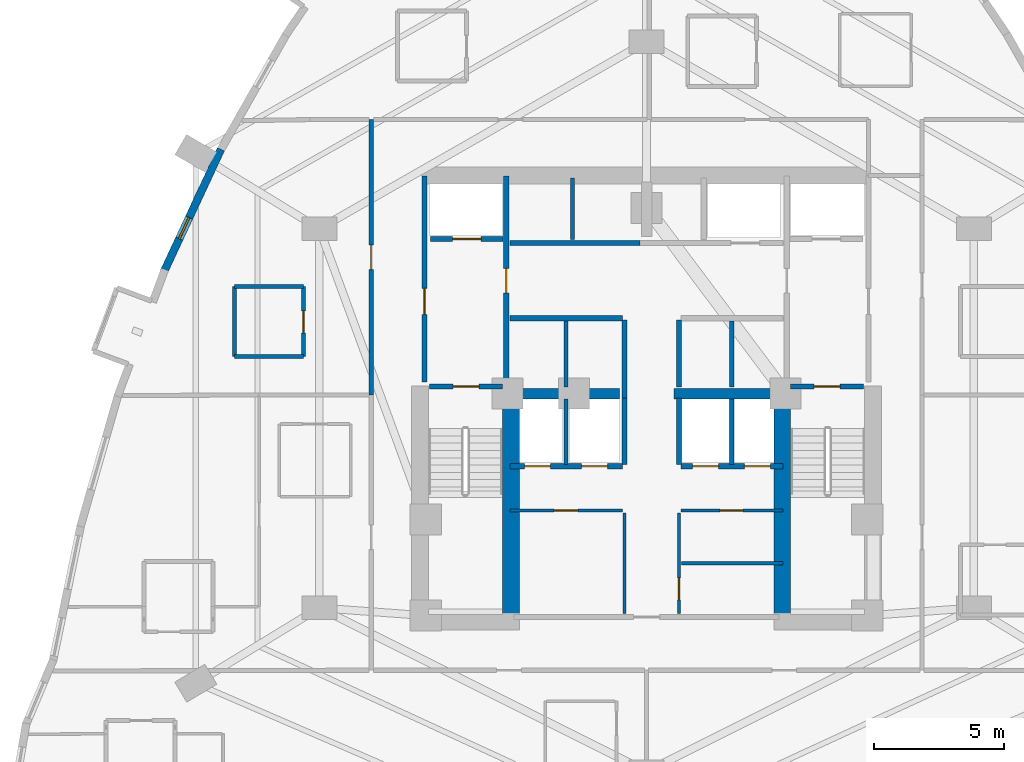
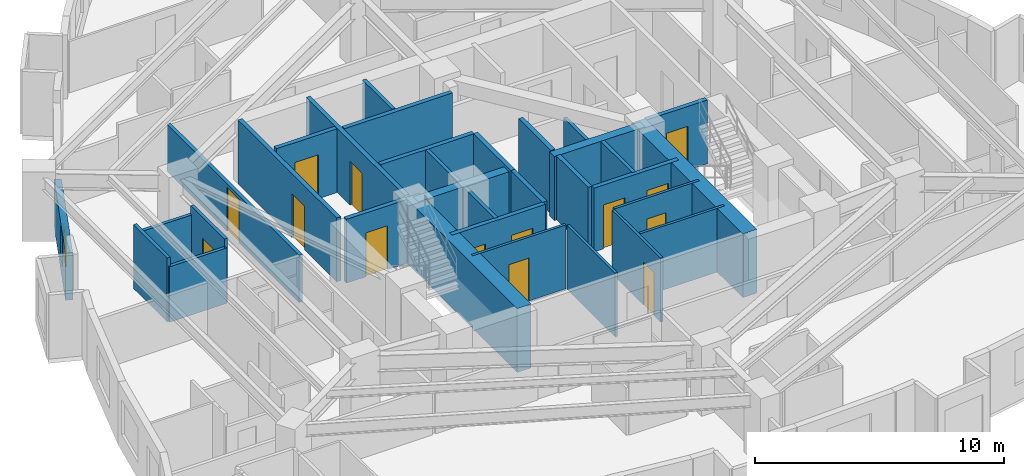
# One storey, part 8 of 13: 33 walls, 14 doors, 1 window, 15 openings.
"""IFC4 building model written with IfcOpenShell, lengths in metres."""

import ifcopenshell
import ifcopenshell.guid

model = None  # the IFC model being written
_history = None  # IfcOwnerHistory: only IFC2X3 demands one
_inside = {}  # id of a spatial element -> (the spatial element, [elements in it])
_under = {}  # id of a project, library or spatial element -> (it, [spatial elements below it])
_declared = {}  # id of a project -> (the project, [libraries it declares])
_typed = {}  # id of a type object -> (the type object, [elements of that type])
_made_of = {}  # id of a material, layer set ... -> (it, [elements and type objects made of it])


def new_model(schema):
    """Start an empty IFC model of exactly this schema.

    Asked for "IFC4X3", IfcOpenShell would pick the latest addendum, in which some entities
    have other attributes; the version numbers below select the first issue.
    IFC2X3 requires an IfcOwnerHistory on every rooted entity: one is made here for all.
    """
    global model, _history
    if schema == "IFC4X3":
        model = ifcopenshell.file(schema_version=(4, 3, 0, 0))
    else:
        model = ifcopenshell.file(schema=schema)
    _inside.clear()
    _under.clear()
    _declared.clear()
    _typed.clear()
    _made_of.clear()
    _history = None
    if model.schema == "IFC2X3":
        org = make("IfcOrganization", Name="unknown")
        user = make(
            "IfcPersonAndOrganization",
            ThePerson=make("IfcPerson", FamilyName="unknown"),
            TheOrganization=org,
        )
        app = make(
            "IfcApplication",
            ApplicationDeveloper=org,
            Version="unknown",
            ApplicationFullName="unknown",
            ApplicationIdentifier="unknown",
        )
        _history = make(
            "IfcOwnerHistory",
            OwningUser=user,
            OwningApplication=app,
            ChangeAction="ADDED",
            CreationDate=0,
        )
    return model


def make(cls, **values):
    """One entity of the class cls with the attributes given. An attribute that is None is left unset."""
    return model.create_entity(
        cls, **{name: value for name, value in values.items() if value is not None}
    )


def rooted(cls, **values):
    """An entity with a GlobalId (a new one), such as an element, a storey or a relation."""
    return make(cls, GlobalId=ifcopenshell.guid.new(), OwnerHistory=_history, **values)


def si_unit(unit_type, name, prefix=None):
    """IfcSIUnit, for example si_unit("LENGTHUNIT", "METRE", prefix="MILLI")."""
    return make("IfcSIUnit", UnitType=unit_type, Prefix=prefix, Name=name)


def assignment(units):
    """IfcUnitAssignment: the units of a project."""
    return None if units is None else make("IfcUnitAssignment", Units=units)


def point(xyz):
    """IfcCartesianPoint."""
    return None if xyz is None else make("IfcCartesianPoint", Coordinates=xyz)


def direction(xyz):
    """IfcDirection."""
    return None if xyz is None else make("IfcDirection", DirectionRatios=xyz)


def frame(location, z_axis=None, x_axis=None):
    """IfcAxis2Placement3D, a coordinate frame: its origin and axes. An axis left out is left unset."""
    return make(
        "IfcAxis2Placement3D",
        Location=point(location),
        Axis=direction(z_axis),
        RefDirection=direction(x_axis),
    )


def frame_2d(location, x_axis=None):
    """IfcAxis2Placement2D, a coordinate frame in the plane: its origin and x axis."""
    return make(
        "IfcAxis2Placement2D", Location=point(location), RefDirection=direction(x_axis)
    )


def origin():
    """The frame at (0, 0, 0) with its axes left unset."""
    return frame((0.0, 0.0, 0.0))


def place(relative_to, where):
    """IfcLocalPlacement: puts the frame where relative to a parent placement (None: the world)."""
    return make(
        "IfcLocalPlacement", PlacementRelTo=relative_to, RelativePlacement=where
    )


def context(
    kind, dimensions, precision=None, world=None, true_north=None, identifier=None
):
    """IfcGeometricRepresentationContext, for example the 3D "Model" context."""
    return make(
        "IfcGeometricRepresentationContext",
        ContextIdentifier=identifier,
        ContextType=kind,
        CoordinateSpaceDimension=dimensions,
        Precision=precision,
        WorldCoordinateSystem=world,
        TrueNorth=true_north,
    )


def subcontext(parent, identifier, kind, view, scale=None):
    """IfcGeometricRepresentationSubContext, for example "Body" below "Model"."""
    return make(
        "IfcGeometricRepresentationSubContext",
        ContextIdentifier=identifier,
        ContextType=kind,
        ParentContext=parent,
        TargetScale=scale,
        TargetView=view,
    )


def project(units=None, contexts=None):
    """IfcProject with its units and contexts."""
    return rooted(
        "IfcProject",
        Name="project",
        RepresentationContexts=contexts,
        UnitsInContext=assignment(units),
    )


def spatial(cls, under=None, at=None, **own):
    """A site, building, storey or space (cls), placed at a placement, below another one or the project."""
    s = rooted(cls, ObjectPlacement=at, **own)
    if under is not None:
        _under.setdefault(under.id(), (under, []))[1].append(s)
    return s


def profile(cls, at=None, kind="AREA", **sizes):
    """A parametric profile (cls). Its sizes go by their IFC names, for example OverallWidth=200.0."""
    return make(cls, ProfileType=kind, Position=at, **sizes)


def rectangle(**sizes):
    """IfcRectangleProfileDef."""
    return profile("IfcRectangleProfileDef", **sizes)


def extrude(swept, where, along, depth):
    """IfcExtrudedAreaSolid: the profile swept, set in the frame where, extruded along a direction by depth."""
    return make(
        "IfcExtrudedAreaSolid",
        SweptArea=swept,
        Position=where,
        ExtrudedDirection=direction(along),
        Depth=depth,
    )


def shape(context_of_items, identifier, shape_type, items):
    """IfcShapeRepresentation: the items that make up one representation, for example the "Body"."""
    return make(
        "IfcShapeRepresentation",
        ContextOfItems=context_of_items,
        RepresentationIdentifier=identifier,
        RepresentationType=shape_type,
        Items=items,
    )


def material(Name=None, Category=None):
    """IfcMaterial."""
    return make("IfcMaterial", Name=Name, Category=Category)


def layer(
    of_material, thickness, ventilated=None, Name=None, Category=None, Priority=None
):
    """IfcMaterialLayer: one layer of a wall or slab, of a material (None: an air gap)."""
    return make(
        "IfcMaterialLayer",
        Material=of_material,
        LayerThickness=thickness,
        IsVentilated=ventilated,
        Name=Name,
        Category=Category,
        Priority=Priority,
    )


def layer_set(layers, Name=None):
    """IfcMaterialLayerSet."""
    return make("IfcMaterialLayerSet", MaterialLayers=layers, LayerSetName=Name)


def made_of(thing, what):
    """Note that an element or type object is made of a material, layer set ...; save() writes the relation."""
    if what is not None:
        _made_of.setdefault(what.id(), (what, []))[1].append(thing)
    return thing


def type_object(cls, material=None, **own):
    """A type object (cls), such as IfcWallType, which elements share."""
    return made_of(rooted(cls, **own), material)


def element(
    cls,
    number,
    at=None,
    inside=None,
    cuts=None,
    type_object=None,
    material=None,
    context=None,
    identifier="Body",
    shape_type=None,
    held_by="IfcProductDefinitionShape",
    body=None,
    shapes=None,
    **own,
):
    """One element of the class cls, such as IfcWall. Its Tag is "e" and its number.

    at: its placement. inside: the storey or other place that contains it. cuts: it is an
    opening in that element (IfcRelVoidsElement). A single representation is given by context,
    identifier, shape_type and body (its items); several are given by shapes. held_by: the class
    of the entity that holds the representations. save() writes the other relations.
    """
    e = rooted(cls, Tag="e%d" % number, ObjectPlacement=at, **own)
    if body is not None:
        shapes = [shape(context, identifier, shape_type, body)]
    if shapes is not None:
        e.Representation = make(held_by, Representations=shapes)
    if inside is not None:
        _inside.setdefault(inside.id(), (inside, []))[1].append(e)
    if cuts is not None:
        rooted(
            "IfcRelVoidsElement", RelatingBuildingElement=cuts, RelatedOpeningElement=e
        )
    if type_object is not None:
        _typed.setdefault(type_object.id(), (type_object, []))[1].append(e)
    return made_of(e, material)


def fill(opening, filler):
    """IfcRelFillsElement: the door or window that sits in an opening."""
    return rooted(
        "IfcRelFillsElement",
        RelatingOpeningElement=opening,
        RelatedBuildingElement=filler,
    )


def aggregate(whole, parts):
    """IfcRelAggregates: a whole, such as a stair, and the parts it consists of."""
    return rooted("IfcRelAggregates", RelatingObject=whole, RelatedObjects=parts)


def save(model, path):
    """Write the relations noted so far, then the file.

    IfcRelAggregates (storeys below a building ...), IfcRelContainedInSpatialStructure (elements
    in a storey), IfcRelDefinesByType, IfcRelAssociatesMaterial and IfcRelDeclares: one each for
    every whole, place, type object, material and project.
    """
    for whole, parts in _under.values():
        aggregate(whole, parts)
    for where, things in _inside.values():
        rooted(
            "IfcRelContainedInSpatialStructure",
            RelatedElements=things,
            RelatingStructure=where,
        )
    for kind, things in _typed.values():
        rooted("IfcRelDefinesByType", RelatedObjects=things, RelatingType=kind)
    for what, things in _made_of.values():
        rooted("IfcRelAssociatesMaterial", RelatedObjects=things, RelatingMaterial=what)
    for by, libraries in _declared.values():
        rooted("IfcRelDeclares", RelatingContext=by, RelatedDefinitions=libraries)
    model.write(path)


model = new_model("IFC4")

# Units and contexts
model_context = context("Model", 3, precision=1e-05, world=origin(), true_north=direction((0.0, 1.0)))
body_context = subcontext(model_context, "Body", "Model", "MODEL_VIEW")
ifc_project = project(units=[si_unit("LENGTHUNIT", "METRE"), si_unit("AREAUNIT", "SQUARE_METRE"), si_unit("VOLUMEUNIT", "CUBIC_METRE"), si_unit("PLANEANGLEUNIT", "RADIAN"), si_unit("MASSUNIT", "GRAM", prefix="KILO")], contexts=[model_context])

# Site, building, storey
site_placement = place(None, origin())
site = spatial("IfcSite", under=ifc_project, at=site_placement, CompositionType="ELEMENT")
building_placement = place(site_placement, origin())
building = spatial("IfcBuilding", under=site, at=building_placement, Name="Miruveldt Soraemaru", CompositionType="ELEMENT")
storey_placement = place(building_placement, frame((0.0, 0.0, 73.39990234375)))
storey = spatial("IfcBuildingStorey", under=building, at=storey_placement, Name="L20", CompositionType="ELEMENT", Elevation=73.39990234375)

# Walls
ifc_material_1 = material(Name="Concrete C70/85 (70 MPa)", Category="concrete")
ifc_layer_1 = layer(ifc_material_1, 0.5, Name="Concrete C70/85 (70 MPa)", Category="concrete")
ifc_layer_set_1 = layer_set([ifc_layer_1], Name="Concrete C70/85 (70 MPa)")
wall_type_1 = type_object("IfcWallType", Name="WALL-BW-500", PredefinedType="SHEAR", material=ifc_layer_set_1)
for number, where, z_axis, x_axis, name in (
    (1, (38.75, 44.050048828125, 0.0), (0.0, 0.0, 1.0), (1.0, 0.0, 0.0), "L20 Core Buttress Shear Wall BW"),
    (2, (45.050048828125, 44.050048828125, 0.0), (0.0, 0.0, 1.0), (1.0, 0.0, 0.0), "L20 Core Buttress Shear Wall BE"),
):
    element("IfcWall", number, at=place(storey_placement, frame(where, z_axis=z_axis, x_axis=x_axis)), inside=storey, type_object=wall_type_1, Name=name, PredefinedType="SHEAR", context=body_context, shape_type="SweptSolid", body=[
        extrude(rectangle(XDim=4.199951171875, YDim=0.39990234375, at=frame_2d((2.10009765625, 0.0))), origin(), (0.0, 0.0, 1.0), 3.125),
    ])
ifc_material_2 = material(Name="Concrete C80/95 (80 MPa)", Category="concrete")
ifc_layer_2 = layer(ifc_material_2, 0.64990234375, Name="Concrete C80/95 (80 MPa)", Category="concrete")
ifc_layer_set_2 = layer_set([ifc_layer_2], Name="Concrete C80/95 (80 MPa)")
wall_type_2 = type_object("IfcWallType", Name="WALL-CW-650", PredefinedType="SHEAR", material=ifc_layer_set_2)
for number, where, z_axis, x_axis, name in (
    (3, (38.77490234375, 35.39990234375, 0.0), (0.0, 0.0, 1.0), (0.0, 1.0, 0.0), "L20 Central Core Shear Wall SW-INT"),
    (4, (49.22509765625, 35.39990234375, 0.0), (0.0, 0.0, 1.0), (0.0, 1.0, 0.0), "L20 Central Core Shear Wall SE-INT"),
):
    element("IfcWall", number, at=place(storey_placement, frame(where, z_axis=z_axis, x_axis=x_axis)), inside=storey, type_object=wall_type_2, Name=name, PredefinedType="SHEAR", context=body_context, shape_type="SweptSolid", body=[
        extrude(rectangle(XDim=8.9501953125, YDim=0.64990234375, at=frame_2d((4.47509765625, 0.0))), origin(), (0.0, 0.0, 1.0), 3.125),
    ])

# Wall, opening, window
ifc_material_3 = material(Name="Precast concrete C45/55 (45 MPa)", Category="concrete")
ifc_layer_3 = layer(ifc_material_3, 0.300048828125, Name="Precast concrete C45/55 (45 MPa)", Category="concrete")
ifc_layer_set_3 = layer_set([ifc_layer_3], Name="Precast concrete C45/55 (45 MPa)")
wall_type_3 = type_object("IfcWallType", Name="WALL-EXT-PC300", PredefinedType="SOLIDWALL", material=ifc_layer_set_3)
wall_1_placement = place(storey_placement, frame((27.611083984375, 53.457763671875, 0.0), z_axis=(0.0, 0.0, 1.0), x_axis=(-0.422273967053, -0.906468254684, 0.0)))
wall_1 = element("IfcWall", 5, at=wall_1_placement, inside=storey, type_object=wall_type_3, Name="L20 Precast Concrete Facade Wall 11", PredefinedType="SOLIDWALL", context=body_context, shape_type="SweptSolid", body=[
    extrude(rectangle(XDim=5.180908203125, YDim=0.300048828125, at=frame_2d((2.59033203125, 0.0))), origin(), (0.0, 0.0, 1.0), 2.31298828125),
])
opening_1_placement = place(wall_1_placement, frame((2.90087890625, 0.0, 0.653076171875)))
opening_1 = element("IfcOpeningElement", 6, at=opening_1_placement, cuts=wall_1, Name="Opening WN-7", PredefinedType="OPENING", context=body_context, shape_type="SweptSolid", body=[
    extrude(rectangle(XDim=0.89990234375, YDim=1.5, at=frame_2d((0.449951171875, 0.75))), frame((0.0, 0.16015625, 0.0), z_axis=(0.0, -1.0, 0.0), x_axis=(1.0, 0.0, 0.0)), (0.0, 0.0, 1.0), 0.320068359375),
])
ifc_material_4 = material(Name="Triple low-e insulated glazing", Category="glass")
window_type = type_object("IfcWindowType", Name="WIN-PUNCH-900x1500", PartitioningType="SINGLE_PANEL", PredefinedType="WINDOW", material=ifc_material_4)
window_placement = place(opening_1_placement, origin())
window = element("IfcWindow", 7, at=window_placement, inside=storey, type_object=window_type, Name="L20 Punched Triple-Glazed Window 11.1", OverallHeight=1.5, OverallWidth=0.89990234375, PartitioningType="SINGLE_PANEL", PredefinedType="WINDOW", context=body_context, shape_type="SweptSolid", body=[
    extrude(rectangle(XDim=0.89990234375, YDim=1.5, at=frame_2d((0.449951171875, 0.75))), frame((0.0, 0.030029296875, 0.0), z_axis=(0.0, -1.0, 0.0), x_axis=(1.0, 0.0, 0.0)), (0.0, 0.0, 1.0), 0.06005859375),
])
fill(opening_1, window)

# Wall, opening, door
ifc_material_5 = material(Name="Gypsum plasterboard lining", Category="gypsum")
ifc_layer_4 = layer(ifc_material_5, 0.1201171875, Name="Gypsum plasterboard lining", Category="gypsum")
ifc_layer_set_4 = layer_set([ifc_layer_4], Name="Gypsum plasterboard lining")
wall_type_4 = type_object("IfcWallType", Name="WALL-INT-P120", PredefinedType="PARTITIONING", material=ifc_layer_set_4)
wall_2_placement = place(storey_placement, frame((38.75, 39.550048828125, 0.0), z_axis=(0.0, 0.0, 1.0), x_axis=(1.0, 0.0, 0.0)))
wall_2 = element("IfcWall", 8, at=wall_2_placement, inside=storey, type_object=wall_type_4, Name="L20 Core Compartment Wall CSW-N", PredefinedType="PARTITIONING", context=body_context, shape_type="SweptSolid", body=[
    extrude(rectangle(XDim=4.330078125, YDim=0.1201171875, at=frame_2d((2.1650390625, 0.0))), origin(), (0.0, 0.0, 1.0), 3.125),
])
opening_2_placement = place(wall_2_placement, frame((1.68994140625, 0.0, 0.0)))
opening_2 = element("IfcOpeningElement", 9, at=opening_2_placement, cuts=wall_2, Name="Opening D3A", PredefinedType="OPENING", context=body_context, shape_type="SweptSolid", body=[
    extrude(rectangle(XDim=0.919921875, YDim=2.10009765625, at=frame_2d((0.4599609375, 1.050048828125))), frame((0.0, 0.070068359375, 0.0), z_axis=(0.0, -1.0, 0.0), x_axis=(1.0, 0.0, 0.0)), (0.0, 0.0, 1.0), 0.14013671875),
])
ifc_material_6 = material(Name="Anodised aluminium EN AW-6063 T6", Category="aluminium")
door_type_1 = type_object("IfcDoorType", Name="DOOR-INT-920", OperationType="NOTDEFINED", PredefinedType="DOOR", material=ifc_material_6)
door_1_placement = place(opening_2_placement, origin())
door_1 = element("IfcDoor", 10, at=door_1_placement, inside=storey, type_object=door_type_1, Name="L20 Fire Door", OperationType="SINGLE_SWING_LEFT", OverallHeight=2.10009765625, OverallWidth=0.919921875, PredefinedType="DOOR", context=body_context, shape_type="SweptSolid", body=[
    extrude(rectangle(XDim=0.919921875, YDim=2.10009765625, at=frame_2d((0.4599609375, 1.050048828125))), frame((0.0, 0.02490234375, 0.0), z_axis=(0.0, -1.0, 0.0), x_axis=(1.0, 0.0, 0.0)), (0.0, 0.0, 1.0), 0.050048828125),
])
fill(opening_2, door_1)

wall_3_placement = place(storey_placement, frame((45.320068359375, 39.550048828125, 0.0), z_axis=(0.0, 0.0, 1.0), x_axis=(1.0, 0.0, 0.0)))
wall_3 = element("IfcWall", 11, at=wall_3_placement, inside=storey, type_object=wall_type_4, Name="L20 Core Compartment Wall CSE-N", PredefinedType="PARTITIONING", context=body_context, shape_type="SweptSolid", body=[
    extrude(rectangle(XDim=3.929931640625, YDim=0.1201171875, at=frame_2d((1.96484375, 0.0))), origin(), (0.0, 0.0, 1.0), 3.125),
])
opening_3_placement = place(wall_3_placement, frame((1.510009765625, 0.0, 0.0)))
opening_3 = element("IfcOpeningElement", 12, at=opening_3_placement, cuts=wall_3, Name="Opening D4", PredefinedType="OPENING", context=body_context, shape_type="SweptSolid", body=[
    extrude(rectangle(XDim=0.8798828125, YDim=2.10009765625, at=frame_2d((0.43994140625, 1.050048828125))), frame((0.0, 0.070068359375, 0.0), z_axis=(0.0, -1.0, 0.0), x_axis=(1.0, 0.0, 0.0)), (0.0, 0.0, 1.0), 0.14013671875),
])
door_type_2 = type_object("IfcDoorType", Name="DOOR-INT-880", OperationType="NOTDEFINED", PredefinedType="DOOR", material=ifc_material_6)
door_2_placement = place(opening_3_placement, origin())
door_2 = element("IfcDoor", 13, at=door_2_placement, inside=storey, type_object=door_type_2, Name="L20 Fire Door", OperationType="SINGLE_SWING_LEFT", OverallHeight=2.10009765625, OverallWidth=0.8798828125, PredefinedType="DOOR", context=body_context, shape_type="SweptSolid", body=[
    extrude(rectangle(XDim=0.8798828125, YDim=2.10009765625, at=frame_2d((0.43994140625, 1.050048828125))), frame((0.0, 0.02490234375, 0.0), z_axis=(0.0, -1.0, 0.0), x_axis=(1.0, 0.0, 0.0)), (0.0, 0.0, 1.0), 0.050048828125),
])
fill(opening_3, door_2)

wall_4_placement = place(storey_placement, frame((45.25, 35.580078125, 0.0), z_axis=(0.0, 0.0, 1.0), x_axis=(0.0, 1.0, 0.0)))
wall_4 = element("IfcWall", 14, at=wall_4_placement, inside=storey, type_object=wall_type_4, Name="L20 Core Compartment Wall SP-ES", PredefinedType="PARTITIONING", context=body_context, shape_type="SweptSolid", body=[
    extrude(rectangle(XDim=3.869873046875, YDim=0.1201171875, at=frame_2d((1.93505859375, 0.0))), origin(), (0.0, 0.0, 1.0), 3.125),
])
opening_4_placement = place(wall_4_placement, frame((0.52490234375, 0.0, 0.0)))
opening_4 = element("IfcOpeningElement", 15, at=opening_4_placement, cuts=wall_4, Name="Opening FD3", PredefinedType="OPENING", context=body_context, shape_type="SweptSolid", body=[
    extrude(rectangle(XDim=0.85009765625, YDim=2.10009765625, at=frame_2d((0.425048828125, 1.050048828125))), frame((0.0, 0.070068359375, 0.0), z_axis=(0.0, -1.0, 0.0), x_axis=(1.0, 0.0, 0.0)), (0.0, 0.0, 1.0), 0.14013671875),
])
door_type_3 = type_object("IfcDoorType", Name="DOOR-FD3-850", OperationType="NOTDEFINED", PredefinedType="DOOR", material=ifc_material_6)
door_3_placement = place(opening_4_placement, frame((0.85009765625, 0.0, 0.0), z_axis=(0.0, 0.0, 1.0), x_axis=(-1.0, 0.0, 0.0)))
door_3 = element("IfcDoor", 16, at=door_3_placement, inside=storey, type_object=door_type_3, Name="L20 Fire Door", OperationType="SINGLE_SWING_LEFT", OverallHeight=2.10009765625, OverallWidth=0.85009765625, PredefinedType="DOOR", context=body_context, shape_type="SweptSolid", body=[
    extrude(rectangle(XDim=0.85009765625, YDim=2.10009765625, at=frame_2d((0.425048828125, 1.050048828125))), frame((0.0, 0.02490234375, 0.0), z_axis=(0.0, -1.0, 0.0), x_axis=(1.0, 0.0, 0.0)), (0.0, 0.0, 1.0), 0.050048828125),
])
fill(opening_4, door_3)

# Walls
wall_5_placement = place(storey_placement, frame((45.35009765625, 37.52001953125, 0.0), z_axis=(0.0, 0.0, 1.0), x_axis=(1.0, 0.0, 0.0)))
element("IfcWall", 17, at=wall_5_placement, inside=storey, type_object=wall_type_4, Name="L20 Core Compartment Wall CE3-H", PredefinedType="PARTITIONING", context=body_context, shape_type="SweptSolid", body=[
    extrude(rectangle(XDim=3.89990234375, YDim=0.1201171875, at=frame_2d((1.949951171875, 0.0))), origin(), (0.0, 0.0, 1.0), 3.125),
])
wall_6_placement = place(storey_placement, frame((43.14990234375, 35.580078125, 0.0), z_axis=(0.0, 0.0, 1.0), x_axis=(0.0, 1.0, 0.0)))
element("IfcWall", 18, at=wall_6_placement, inside=storey, type_object=wall_type_4, Name="L20 Core Compartment Wall SP-WS", PredefinedType="PARTITIONING", context=body_context, shape_type="SweptSolid", body=[
    extrude(rectangle(XDim=3.869873046875, YDim=0.1201171875, at=frame_2d((1.93505859375, 0.0))), origin(), (0.0, 0.0, 1.0), 3.125),
])

# Wall, opening, door
ifc_layer_5 = layer(ifc_material_5, 0.14990234375, Name="Gypsum plasterboard lining", Category="gypsum")
ifc_layer_set_5 = layer_set([ifc_layer_5], Name="Gypsum plasterboard lining")
wall_type_5 = type_object("IfcWallType", Name="WALL-INT-PLUMB", PredefinedType="PLUMBINGWALL", material=ifc_layer_set_5)
wall_7_placement = place(storey_placement, frame((30.7900390625, 45.47998046875, 0.0), z_axis=(0.0, 0.0, 1.0), x_axis=(0.0, 1.0, 0.0)))
wall_7 = element("IfcWall", 19, at=wall_7_placement, inside=storey, type_object=wall_type_5, Name="L20 Partition Wall 57", PredefinedType="PLUMBINGWALL", context=body_context, shape_type="SweptSolid", body=[
    extrude(rectangle(XDim=2.699951171875, YDim=0.14990234375, at=frame_2d((1.35009765625, 0.0))), origin(), (0.0, 0.0, 1.0), 3.125),
])
opening_5_placement = place(wall_7_placement, frame((0.909912109375, 0.0, 0.0)))
opening_5 = element("IfcOpeningElement", 20, at=opening_5_placement, cuts=wall_7, Name="Opening FD3", PredefinedType="OPENING", context=body_context, shape_type="SweptSolid", body=[
    extrude(rectangle(XDim=0.85009765625, YDim=2.10009765625, at=frame_2d((0.425048828125, 1.050048828125))), frame((0.0, 0.0849609375, 0.0), z_axis=(0.0, -1.0, 0.0), x_axis=(1.0, 0.0, 0.0)), (0.0, 0.0, 1.0), 0.169921875),
])
door_4_placement = place(opening_5_placement, origin())
door_4 = element("IfcDoor", 21, at=door_4_placement, inside=storey, type_object=door_type_3, Name="L20 Unit 2004 BTH Door", OperationType="SINGLE_SWING_RIGHT", OverallHeight=2.10009765625, OverallWidth=0.85009765625, PredefinedType="DOOR", context=body_context, shape_type="SweptSolid", body=[
    extrude(rectangle(XDim=0.85009765625, YDim=2.10009765625, at=frame_2d((0.425048828125, 1.050048828125))), frame((0.0, 0.02490234375, 0.0), z_axis=(0.0, -1.0, 0.0), x_axis=(1.0, 0.0, 0.0)), (0.0, 0.0, 1.0), 0.050048828125),
])
fill(opening_5, door_4)

# Walls
wall_8_placement = place(storey_placement, frame((28.139892578125, 48.179931640625, 0.0), z_axis=(0.0, 0.0, 1.0), x_axis=(0.0, -1.0, 0.0)))
element("IfcWall", 22, at=wall_8_placement, inside=storey, type_object=wall_type_5, Name="L20 Partition Wall 59", PredefinedType="PLUMBINGWALL", context=body_context, shape_type="SweptSolid", body=[
    extrude(rectangle(XDim=2.699951171875, YDim=0.14990234375, at=frame_2d((1.35009765625, 0.0))), origin(), (0.0, 0.0, 1.0), 3.125),
])
for number, where, z_axis, x_axis, name in (
    (23, (30.7900390625, 48.179931640625, 0.0), (0.0, 0.0, 1.0), (-1.0, 0.0, 0.0), "L20 Partition Wall 58"),
    (24, (28.139892578125, 45.47998046875, 0.0), (0.0, 0.0, 1.0), (1.0, 0.0, 0.0), "L20 Partition Wall 60"),
):
    element("IfcWall", number, at=place(storey_placement, frame(where, z_axis=z_axis, x_axis=x_axis)), inside=storey, type_object=wall_type_5, Name=name, PredefinedType="PLUMBINGWALL", context=body_context, shape_type="SweptSolid", body=[
        extrude(rectangle(XDim=2.650146484375, YDim=0.14990234375, at=frame_2d((1.3251953125, 0.0))), origin(), (0.0, 0.0, 1.0), 2.713134765625),
    ])

# Wall, opening, door
ifc_material_7 = material(Name="Concrete C40/50 (40 MPa)", Category="concrete")
ifc_layer_6 = layer(ifc_material_7, 0.159912109375, Name="Concrete C40/50 (40 MPa)", Category="concrete")
ifc_layer_set_6 = layer_set([ifc_layer_6], Name="Concrete C40/50 (40 MPa)")
wall_type_6 = type_object("IfcWallType", Name="WALL-INT-RC160", PredefinedType="SOLIDWALL", material=ifc_layer_set_6)
wall_9_placement = place(storey_placement, frame((33.39990234375, 54.595947265625, 0.0), z_axis=(0.0, 0.0, 1.0), x_axis=(0.0, -1.0, 0.0)))
wall_9 = element("IfcWall", 25, at=wall_9_placement, inside=storey, type_object=wall_type_6, Name="L20 Partition Wall 6", PredefinedType="SOLIDWALL", context=body_context, shape_type="SweptSolid", body=[
    extrude(rectangle(XDim=10.592041015625, YDim=0.159912109375, at=frame_2d((5.2958984375, 0.0))), origin(), (0.0, 0.0, 1.0), 2.31298828125),
])
opening_6_placement = place(wall_9_placement, frame((4.821044921875, 0.0, 0.0)))
opening_6 = element("IfcOpeningElement", 26, at=opening_6_placement, cuts=wall_9, Name="Opening FD2", PredefinedType="OPENING", context=body_context, shape_type="SweptSolid", body=[
    extrude(rectangle(XDim=0.949951171875, YDim=2.14990234375, at=frame_2d((0.47509765625, 1.074951171875))), frame((0.0, 0.08984375, 0.0), z_axis=(0.0, -1.0, 0.0), x_axis=(1.0, 0.0, 0.0)), (0.0, 0.0, 1.0), 0.179931640625),
])
door_type_4 = type_object("IfcDoorType", Name="DOOR-FD2-950", OperationType="NOTDEFINED", PredefinedType="DOOR", material=ifc_material_6)
door_5_placement = place(opening_6_placement, origin())
door_5 = element("IfcDoor", 27, at=door_5_placement, inside=storey, type_object=door_type_4, Name="L20 Unit 2004 Entrance Fire Door", OperationType="SINGLE_SWING_LEFT", OverallHeight=2.14990234375, OverallWidth=0.949951171875, PredefinedType="DOOR", context=body_context, shape_type="SweptSolid", body=[
    extrude(rectangle(XDim=0.949951171875, YDim=2.14990234375, at=frame_2d((0.47509765625, 1.074951171875))), frame((0.0, 0.02490234375, 0.0), z_axis=(0.0, -1.0, 0.0), x_axis=(1.0, 0.0, 0.0)), (0.0, 0.0, 1.0), 0.050048828125),
])
fill(opening_6, door_5)

# Walls
wall_10_placement = place(storey_placement, frame((40.89990234375, 44.300048828125, 0.0), z_axis=(0.0, 0.0, 1.0), x_axis=(0.0, 1.0, 0.0)))
element("IfcWall", 28, at=wall_10_placement, inside=storey, type_object=wall_type_6, Name="L20 Core Compartment Wall PLM-DW", PredefinedType="SOLIDWALL", context=body_context, shape_type="SweptSolid", body=[
    extrude(rectangle(XDim=2.550048828125, YDim=0.159912109375, at=frame_2d((1.27490234375, 0.0))), origin(), (0.0, 0.0, 1.0), 3.125),
])
wall_11_placement = place(storey_placement, frame((47.280029296875, 44.300048828125, 0.0), z_axis=(0.0, 0.0, 1.0), x_axis=(0.0, 1.0, 0.0)))
element("IfcWall", 29, at=wall_11_placement, inside=storey, type_object=wall_type_6, Name="L20 Core Compartment Wall PLM-DE", PredefinedType="SOLIDWALL", context=body_context, shape_type="SweptSolid", body=[
    extrude(rectangle(XDim=2.550048828125, YDim=0.159912109375, at=frame_2d((1.27490234375, 0.0))), origin(), (0.0, 0.0, 1.0), 2.463134765625),
])
for number, where, z_axis, x_axis, name in (
    (30, (40.89990234375, 41.320068359375, 0.0), (0.0, 0.0, 1.0), (0.0, 1.0, 0.0), "L20 Core Compartment Wall PLL-DW"),
    (31, (47.280029296875, 41.320068359375, 0.0), (0.0, 0.0, 1.0), (0.0, 1.0, 0.0), "L20 Core Compartment Wall PLL-DE"),
):
    element("IfcWall", number, at=place(storey_placement, frame(where, z_axis=z_axis, x_axis=x_axis)), inside=storey, type_object=wall_type_6, Name=name, PredefinedType="SOLIDWALL", context=body_context, shape_type="SweptSolid", body=[
        extrude(rectangle(XDim=2.530029296875, YDim=0.159912109375, at=frame_2d((1.26513671875, 0.0))), origin(), (0.0, 0.0, 1.0), 3.125),
    ])
wall_12_placement = place(storey_placement, frame((41.14990234375, 49.97998046875, 0.0), z_axis=(0.0, 0.0, 1.0), x_axis=(0.0, 1.0, 0.0)))
element("IfcWall", 32, at=wall_12_placement, inside=storey, type_object=wall_type_6, Name="L20 Core Compartment Wall PLH-DIV1", PredefinedType="SOLIDWALL", context=body_context, shape_type="SweptSolid", body=[
    extrude(rectangle(XDim=2.3701171875, YDim=0.159912109375, at=frame_2d((1.18505859375, 0.0))), origin(), (0.0, 0.0, 1.0), 3.125),
])

# Wall, opening, door
ifc_layer_7 = layer(ifc_material_7, 0.199951171875, Name="Concrete C40/50 (40 MPa)", Category="concrete")
ifc_layer_set_7 = layer_set([ifc_layer_7], Name="Concrete C40/50 (40 MPa)")
wall_type_7 = type_object("IfcWallType", Name="WALL-INT-RC200", PredefinedType="SOLIDWALL", material=ifc_layer_set_7)
wall_13_placement = place(storey_placement, frame((35.449951171875, 44.5, 0.0), z_axis=(0.0, 0.0, 1.0), x_axis=(0.0, 1.0, 0.0)))
wall_13 = element("IfcWall", 33, at=wall_13_placement, inside=storey, type_object=wall_type_7, Name="L20 Core Compartment Wall FFW-OUT", PredefinedType="SOLIDWALL", context=body_context, shape_type="SweptSolid", body=[
    extrude(rectangle(XDim=7.919921875, YDim=0.199951171875, at=frame_2d((3.9599609375, 0.0))), origin(), (0.0, 0.0, 1.0), 3.125),
])
opening_7_placement = place(wall_13_placement, frame((2.60009765625, 0.0, 0.0)))
opening_7 = element("IfcOpeningElement", 34, at=opening_7_placement, cuts=wall_13, Name="Opening FD1", PredefinedType="OPENING", context=body_context, shape_type="SweptSolid", body=[
    extrude(rectangle(XDim=1.0, YDim=2.14990234375, at=frame_2d((0.5, 1.074951171875))), frame((0.0, 0.10986328125, 0.0), z_axis=(0.0, -1.0, 0.0), x_axis=(1.0, 0.0, 0.0)), (0.0, 0.0, 1.0), 0.219970703125),
])
door_type_5 = type_object("IfcDoorType", Name="DOOR-FD1-1000", OperationType="NOTDEFINED", PredefinedType="DOOR", material=ifc_material_6)
door_6_placement = place(opening_7_placement, origin())
door_6 = element("IfcDoor", 35, at=door_6_placement, inside=storey, type_object=door_type_5, Name="L20 West Firefighting Lobby Exit Door", OperationType="SINGLE_SWING_LEFT", OverallHeight=2.14990234375, OverallWidth=1.0, PredefinedType="DOOR", context=body_context, shape_type="SweptSolid", body=[
    extrude(rectangle(XDim=1.0, YDim=2.14990234375, at=frame_2d((0.5, 1.074951171875))), frame((0.0, 0.02490234375, 0.0), z_axis=(0.0, -1.0, 0.0), x_axis=(1.0, 0.0, 0.0)), (0.0, 0.0, 1.0), 0.050048828125),
])
fill(opening_7, door_6)

wall_14_placement = place(storey_placement, frame((38.60009765625, 44.5, 0.0), z_axis=(0.0, 0.0, 1.0), x_axis=(0.0, 1.0, 0.0)))
wall_14 = element("IfcWall", 36, at=wall_14_placement, inside=storey, type_object=wall_type_7, Name="L20 Core Compartment Wall FFW-IN", PredefinedType="SOLIDWALL", context=body_context, shape_type="SweptSolid", body=[
    extrude(rectangle(XDim=7.919921875, YDim=0.199951171875, at=frame_2d((3.9599609375, 0.0))), origin(), (0.0, 0.0, 1.0), 3.125),
])
opening_8_placement = place(wall_14_placement, frame((3.425048828125, 0.0, 0.0)))
opening_8 = element("IfcOpeningElement", 37, at=opening_8_placement, cuts=wall_14, Name="Opening FD2", PredefinedType="OPENING", context=body_context, shape_type="SweptSolid", body=[
    extrude(rectangle(XDim=0.949951171875, YDim=2.14990234375, at=frame_2d((0.47509765625, 1.074951171875))), frame((0.0, 0.10986328125, 0.0), z_axis=(0.0, -1.0, 0.0), x_axis=(1.0, 0.0, 0.0)), (0.0, 0.0, 1.0), 0.219970703125),
])
door_7_placement = place(opening_8_placement, frame((0.949951171875, 0.0, 0.0), z_axis=(0.0, 0.0, 1.0), x_axis=(-1.0, 0.0, 0.0)))
door_7 = element("IfcDoor", 38, at=door_7_placement, inside=storey, type_object=door_type_4, Name="L20 Lift Lobby to West Fire Lobby Door", OperationType="SINGLE_SWING_RIGHT", OverallHeight=2.14990234375, OverallWidth=0.949951171875, PredefinedType="DOOR", context=body_context, shape_type="SweptSolid", body=[
    extrude(rectangle(XDim=0.949951171875, YDim=2.14990234375, at=frame_2d((0.47509765625, 1.074951171875))), frame((0.0, 0.02490234375, 0.0), z_axis=(0.0, -1.0, 0.0), x_axis=(1.0, 0.0, 0.0)), (0.0, 0.0, 1.0), 0.050048828125),
])
fill(opening_8, door_7)

# Wall, openings, doors
wall_15_placement = place(storey_placement, frame((38.75, 41.25, 0.0), z_axis=(0.0, 0.0, 1.0), x_axis=(1.0, 0.0, 0.0)))
wall_15 = element("IfcWall", 39, at=wall_15_placement, inside=storey, type_object=wall_type_7, Name="L20 Core Compartment Wall LBW-S", PredefinedType="SOLIDWALL", context=body_context, shape_type="SweptSolid", body=[
    extrude(rectangle(XDim=4.330078125, YDim=0.199951171875, at=frame_2d((2.1650390625, 0.0))), origin(), (0.0, 0.0, 1.0), 3.125),
])
opening_9_placement = place(wall_15_placement, frame((0.550048828125, 0.0, 0.0)))
opening_9 = element("IfcOpeningElement", 40, at=opening_9_placement, cuts=wall_15, Name="Opening LD1B", PredefinedType="OPENING", context=body_context, shape_type="SweptSolid", body=[
    extrude(rectangle(XDim=1.0, YDim=2.14990234375, at=frame_2d((0.5, 1.074951171875))), frame((0.0, 0.10986328125, 0.0), z_axis=(0.0, -1.0, 0.0), x_axis=(1.0, 0.0, 0.0)), (0.0, 0.0, 1.0), 0.219970703125),
])
opening_10_placement = place(wall_15_placement, frame((2.75, 0.0, 0.0)))
opening_10 = element("IfcOpeningElement", 41, at=opening_10_placement, cuts=wall_15, Name="Opening LD1B", PredefinedType="OPENING", context=body_context, shape_type="SweptSolid", body=[
    extrude(rectangle(XDim=1.0, YDim=2.14990234375, at=frame_2d((0.5, 1.074951171875))), frame((0.0, 0.10986328125, 0.0), z_axis=(0.0, -1.0, 0.0), x_axis=(1.0, 0.0, 0.0)), (0.0, 0.0, 1.0), 0.219970703125),
])
door_type_6 = type_object("IfcDoorType", Name="DOOR-LD1-1000", OperationType="SLIDING_TO_LEFT", PredefinedType="DOOR", material=ifc_material_6)
door_8_placement = place(opening_9_placement, frame((1.0, 0.0, 0.0), z_axis=(0.0, 0.0, 1.0), x_axis=(-1.0, 0.0, 0.0)))
door_8 = element("IfcDoor", 42, at=door_8_placement, inside=storey, type_object=door_type_6, Name="L20 PL-L1 Landing Door", OperationType="SLIDING_TO_LEFT", OverallHeight=2.14990234375, OverallWidth=1.0, PredefinedType="DOOR", context=body_context, shape_type="SweptSolid", body=[
    extrude(rectangle(XDim=1.0, YDim=2.14990234375, at=frame_2d((0.5, 1.074951171875))), frame((0.0, 0.02490234375, 0.0), z_axis=(0.0, -1.0, 0.0), x_axis=(1.0, 0.0, 0.0)), (0.0, 0.0, 1.0), 0.050048828125),
])
fill(opening_9, door_8)
door_9_placement = place(opening_10_placement, frame((1.0, 0.0, 0.0), z_axis=(0.0, 0.0, 1.0), x_axis=(-1.0, 0.0, 0.0)))
door_9 = element("IfcDoor", 43, at=door_9_placement, inside=storey, type_object=door_type_6, Name="L20 PL-L2 Landing Door", OperationType="SLIDING_TO_LEFT", OverallHeight=2.14990234375, OverallWidth=1.0, PredefinedType="DOOR", context=body_context, shape_type="SweptSolid", body=[
    extrude(rectangle(XDim=1.0, YDim=2.14990234375, at=frame_2d((0.5, 1.074951171875))), frame((0.0, 0.02490234375, 0.0), z_axis=(0.0, -1.0, 0.0), x_axis=(1.0, 0.0, 0.0)), (0.0, 0.0, 1.0), 0.050048828125),
])
fill(opening_10, door_9)

wall_16_placement = place(storey_placement, frame((45.320068359375, 41.25, 0.0), z_axis=(0.0, 0.0, 1.0), x_axis=(1.0, 0.0, 0.0)))
wall_16 = element("IfcWall", 44, at=wall_16_placement, inside=storey, type_object=wall_type_7, Name="L20 Core Compartment Wall LBE-S", PredefinedType="SOLIDWALL", context=body_context, shape_type="SweptSolid", body=[
    extrude(rectangle(XDim=3.929931640625, YDim=0.199951171875, at=frame_2d((1.96484375, 0.0))), origin(), (0.0, 0.0, 1.0), 3.125),
])
opening_11_placement = place(wall_16_placement, frame((0.449951171875, 0.0, 0.0)))
opening_11 = element("IfcOpeningElement", 45, at=opening_11_placement, cuts=wall_16, Name="Opening LD1B", PredefinedType="OPENING", context=body_context, shape_type="SweptSolid", body=[
    extrude(rectangle(XDim=1.0, YDim=2.14990234375, at=frame_2d((0.5, 1.074951171875))), frame((0.0, 0.10986328125, 0.0), z_axis=(0.0, -1.0, 0.0), x_axis=(1.0, 0.0, 0.0)), (0.0, 0.0, 1.0), 0.219970703125),
])
opening_12_placement = place(wall_16_placement, frame((2.449951171875, 0.0, 0.0)))
opening_12 = element("IfcOpeningElement", 46, at=opening_12_placement, cuts=wall_16, Name="Opening LD1B", PredefinedType="OPENING", context=body_context, shape_type="SweptSolid", body=[
    extrude(rectangle(XDim=1.0, YDim=2.14990234375, at=frame_2d((0.5, 1.074951171875))), frame((0.0, 0.10986328125, 0.0), z_axis=(0.0, -1.0, 0.0), x_axis=(1.0, 0.0, 0.0)), (0.0, 0.0, 1.0), 0.219970703125),
])
door_10_placement = place(opening_11_placement, frame((1.0, 0.0, 0.0), z_axis=(0.0, 0.0, 1.0), x_axis=(-1.0, 0.0, 0.0)))
door_10 = element("IfcDoor", 47, at=door_10_placement, inside=storey, type_object=door_type_6, Name="L20 PL-L3 Landing Door", OperationType="SLIDING_TO_LEFT", OverallHeight=2.14990234375, OverallWidth=1.0, PredefinedType="DOOR", context=body_context, shape_type="SweptSolid", body=[
    extrude(rectangle(XDim=1.0, YDim=2.14990234375, at=frame_2d((0.5, 1.074951171875))), frame((0.0, 0.02490234375, 0.0), z_axis=(0.0, -1.0, 0.0), x_axis=(1.0, 0.0, 0.0)), (0.0, 0.0, 1.0), 0.050048828125),
])
fill(opening_11, door_10)
door_11_placement = place(opening_12_placement, frame((1.0, 0.0, 0.0), z_axis=(0.0, 0.0, 1.0), x_axis=(-1.0, 0.0, 0.0)))
door_11 = element("IfcDoor", 48, at=door_11_placement, inside=storey, type_object=door_type_6, Name="L20 PL-L4 Landing Door", OperationType="SLIDING_TO_LEFT", OverallHeight=2.14990234375, OverallWidth=1.0, PredefinedType="DOOR", context=body_context, shape_type="SweptSolid", body=[
    extrude(rectangle(XDim=1.0, YDim=2.14990234375, at=frame_2d((0.5, 1.074951171875))), frame((0.0, 0.02490234375, 0.0), z_axis=(0.0, -1.0, 0.0), x_axis=(1.0, 0.0, 0.0)), (0.0, 0.0, 1.0), 0.050048828125),
])
fill(opening_12, door_11)

# Wall, opening, door
wall_17_placement = place(storey_placement, frame((35.64990234375, 44.320068359375, 0.0), z_axis=(0.0, 0.0, 1.0), x_axis=(1.0, 0.0, 0.0)))
wall_17 = element("IfcWall", 49, at=wall_17_placement, inside=storey, type_object=wall_type_7, Name="L20 Core Compartment Wall ST1-N", PredefinedType="SOLIDWALL", context=body_context, shape_type="SweptSolid", body=[
    extrude(rectangle(XDim=2.800048828125, YDim=0.199951171875, at=frame_2d((1.39990234375, 0.0))), origin(), (0.0, 0.0, 1.0), 3.125),
])
opening_13_placement = place(wall_17_placement, frame((0.89990234375, 0.0, 0.0)))
opening_13 = element("IfcOpeningElement", 50, at=opening_13_placement, cuts=wall_17, Name="Opening FD1", PredefinedType="OPENING", context=body_context, shape_type="SweptSolid", body=[
    extrude(rectangle(XDim=1.0, YDim=2.14990234375, at=frame_2d((0.5, 1.074951171875))), frame((0.0, 0.10986328125, 0.0), z_axis=(0.0, -1.0, 0.0), x_axis=(1.0, 0.0, 0.0)), (0.0, 0.0, 1.0), 0.219970703125),
])
door_12_placement = place(opening_13_placement, frame((1.0, 0.0, 0.0), z_axis=(0.0, 0.0, 1.0), x_axis=(-1.0, 0.0, 0.0)))
door_12 = element("IfcDoor", 51, at=door_12_placement, inside=storey, type_object=door_type_5, Name="L20 Stair ST-1 Fire Door", OperationType="SINGLE_SWING_LEFT", OverallHeight=2.14990234375, OverallWidth=1.0, PredefinedType="DOOR", context=body_context, shape_type="SweptSolid", body=[
    extrude(rectangle(XDim=1.0, YDim=2.14990234375, at=frame_2d((0.5, 1.074951171875))), frame((0.0, 0.02490234375, 0.0), z_axis=(0.0, -1.0, 0.0), x_axis=(1.0, 0.0, 0.0)), (0.0, 0.0, 1.0), 0.050048828125),
])
fill(opening_13, door_12)

wall_18_placement = place(storey_placement, frame((49.550048828125, 44.320068359375, 0.0), z_axis=(0.0, 0.0, 1.0), x_axis=(1.0, 0.0, 0.0)))
wall_18 = element("IfcWall", 52, at=wall_18_placement, inside=storey, type_object=wall_type_7, Name="L20 Core Compartment Wall ST2-N", PredefinedType="SOLIDWALL", context=body_context, shape_type="SweptSolid", body=[
    extrude(rectangle(XDim=2.800048828125, YDim=0.199951171875, at=frame_2d((1.39990234375, 0.0))), origin(), (0.0, 0.0, 1.0), 3.125),
])
opening_14_placement = place(wall_18_placement, frame((0.89990234375, 0.0, 0.0)))
opening_14 = element("IfcOpeningElement", 53, at=opening_14_placement, cuts=wall_18, Name="Opening FD1", PredefinedType="OPENING", context=body_context, shape_type="SweptSolid", body=[
    extrude(rectangle(XDim=1.0, YDim=2.14990234375, at=frame_2d((0.5, 1.074951171875))), frame((0.0, 0.10986328125, 0.0), z_axis=(0.0, -1.0, 0.0), x_axis=(1.0, 0.0, 0.0)), (0.0, 0.0, 1.0), 0.219970703125),
])
door_13_placement = place(opening_14_placement, frame((1.0, 0.0, 0.0), z_axis=(0.0, 0.0, 1.0), x_axis=(-1.0, 0.0, 0.0)))
door_13 = element("IfcDoor", 54, at=door_13_placement, inside=storey, type_object=door_type_5, Name="L20 Stair ST-2 Fire Door", OperationType="SINGLE_SWING_RIGHT", OverallHeight=2.14990234375, OverallWidth=1.0, PredefinedType="DOOR", context=body_context, shape_type="SweptSolid", body=[
    extrude(rectangle(XDim=1.0, YDim=2.14990234375, at=frame_2d((0.5, 1.074951171875))), frame((0.0, 0.02490234375, 0.0), z_axis=(0.0, -1.0, 0.0), x_axis=(1.0, 0.0, 0.0)), (0.0, 0.0, 1.0), 0.050048828125),
])
fill(opening_14, door_13)

wall_19_placement = place(storey_placement, frame((35.679931640625, 50.0, 0.0), z_axis=(0.0, 0.0, 1.0), x_axis=(1.0, 0.0, 0.0)))
wall_19 = element("IfcWall", 55, at=wall_19_placement, inside=storey, type_object=wall_type_7, Name="L20 Core Compartment Wall FFL1-S", PredefinedType="SOLIDWALL", context=body_context, shape_type="SweptSolid", body=[
    extrude(rectangle(XDim=2.800048828125, YDim=0.199951171875, at=frame_2d((1.39990234375, 0.0))), origin(), (0.0, 0.0, 1.0), 3.125),
])
opening_15_placement = place(wall_19_placement, frame((0.85009765625, 0.0, 0.0)))
opening_15 = element("IfcOpeningElement", 56, at=opening_15_placement, cuts=wall_19, Name="Opening LD2", PredefinedType="OPENING", context=body_context, shape_type="SweptSolid", body=[
    extrude(rectangle(XDim=1.10009765625, YDim=2.14990234375, at=frame_2d((0.550048828125, 1.074951171875))), frame((0.0, 0.10986328125, 0.0), z_axis=(0.0, -1.0, 0.0), x_axis=(1.0, 0.0, 0.0)), (0.0, 0.0, 1.0), 0.219970703125),
])
door_type_7 = type_object("IfcDoorType", Name="DOOR-LD2-1100", OperationType="SLIDING_TO_LEFT", PredefinedType="DOOR", material=ifc_material_6)
door_14_placement = place(opening_15_placement, origin())
door_14 = element("IfcDoor", 57, at=door_14_placement, inside=storey, type_object=door_type_7, Name="L20 FFL-1 Landing Door", OperationType="SLIDING_TO_LEFT", OverallHeight=2.14990234375, OverallWidth=1.10009765625, PredefinedType="DOOR", context=body_context, shape_type="SweptSolid", body=[
    extrude(rectangle(XDim=1.10009765625, YDim=2.14990234375, at=frame_2d((0.550048828125, 1.074951171875))), frame((0.0, 0.02490234375, 0.0), z_axis=(0.0, -1.0, 0.0), x_axis=(1.0, 0.0, 0.0)), (0.0, 0.0, 1.0), 0.050048828125),
])
fill(opening_15, door_14)

# Walls
wall_20_placement = place(storey_placement, frame((38.75, 49.85009765625, 0.0), z_axis=(0.0, 0.0, 1.0), x_axis=(1.0, 0.0, 0.0)))
element("IfcWall", 58, at=wall_20_placement, inside=storey, type_object=wall_type_7, Name="L20 Core Compartment Wall ROWA-SW", PredefinedType="SOLIDWALL", context=body_context, shape_type="SweptSolid", body=[
    extrude(rectangle(XDim=5.0, YDim=0.199951171875, at=frame_2d((2.5, 0.0))), origin(), (0.0, 0.0, 1.0), 3.125),
])
wall_21_placement = place(storey_placement, frame((38.75, 46.949951171875, 0.0), z_axis=(0.0, 0.0, 1.0), x_axis=(1.0, 0.0, 0.0)))
element("IfcWall", 59, at=wall_21_placement, inside=storey, type_object=wall_type_7, Name="L20 Core Compartment Wall MBW-N", PredefinedType="SOLIDWALL", context=body_context, shape_type="SweptSolid", body=[
    extrude(rectangle(XDim=4.330078125, YDim=0.199951171875, at=frame_2d((2.1650390625, 0.0))), origin(), (0.0, 0.0, 1.0), 3.125),
])
wall_22_placement = place(storey_placement, frame((43.14990234375, 43.8798828125, 0.0), z_axis=(0.0, 0.0, 1.0), x_axis=(0.0, 1.0, 0.0)))
element("IfcWall", 60, at=wall_22_placement, inside=storey, type_object=wall_type_7, Name="L20 Core Compartment Wall SP-WB", PredefinedType="SOLIDWALL", context=body_context, shape_type="SweptSolid", body=[
    extrude(rectangle(XDim=3.0, YDim=0.199951171875, at=frame_2d((1.5, 0.0))), origin(), (0.0, 0.0, 1.0), 3.125),
])
wall_23_placement = place(storey_placement, frame((45.25, 44.300048828125, 0.0), z_axis=(0.0, 0.0, 1.0), x_axis=(0.0, 1.0, 0.0)))
element("IfcWall", 61, at=wall_23_placement, inside=storey, type_object=wall_type_7, Name="L20 Core Compartment Wall SP-EB", PredefinedType="SOLIDWALL", context=body_context, shape_type="SweptSolid", body=[
    extrude(rectangle(XDim=2.579833984375, YDim=0.199951171875, at=frame_2d((1.2900390625, 0.0))), origin(), (0.0, 0.0, 1.0), 3.125),
])
for number, where, z_axis, x_axis, name in (
    (62, (43.14990234375, 41.320068359375, 0.0), (0.0, 0.0, 1.0), (0.0, 1.0, 0.0), "L20 Core Compartment Wall SP-WC"),
    (63, (45.25, 41.320068359375, 0.0), (0.0, 0.0, 1.0), (0.0, 1.0, 0.0), "L20 Core Compartment Wall SP-EC"),
):
    element("IfcWall", number, at=place(storey_placement, frame(where, z_axis=z_axis, x_axis=x_axis)), inside=storey, type_object=wall_type_7, Name=name, PredefinedType="SOLIDWALL", context=body_context, shape_type="SweptSolid", body=[
        extrude(rectangle(XDim=2.559814453125, YDim=0.199951171875, at=frame_2d((1.27978515625, 0.0))), origin(), (0.0, 0.0, 1.0), 3.125),
    ])

save(model, "model.ifc")
